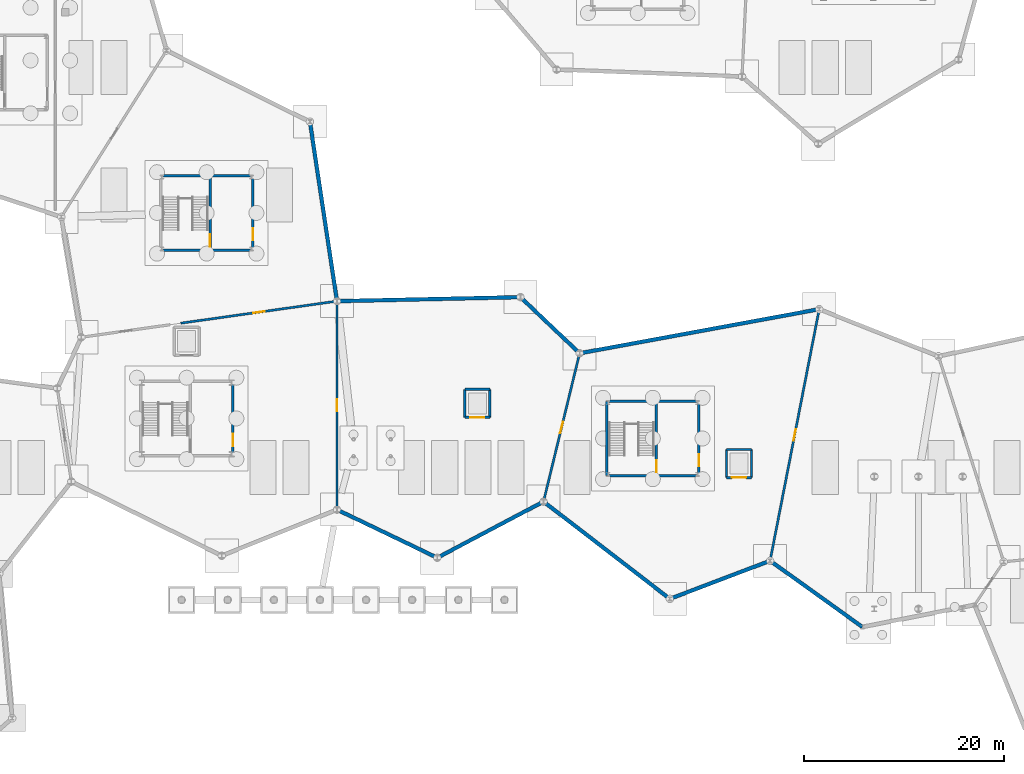
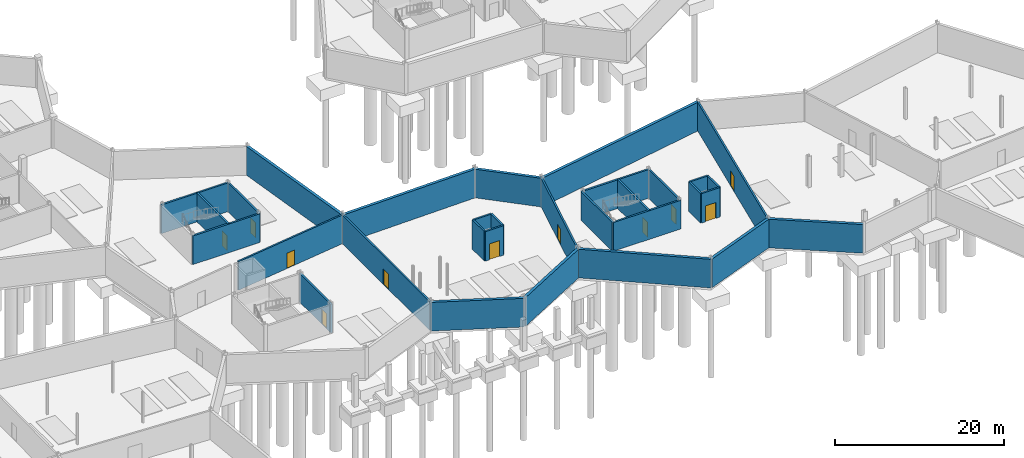
# One storey, part 27 of 37: 31 walls, 11 doors, 11 openings.
"""IFC4 building model written with IfcOpenShell, lengths in metres."""

import ifcopenshell
import ifcopenshell.guid

model = None  # the IFC model being written
_history = None  # IfcOwnerHistory: only IFC2X3 demands one
_inside = {}  # id of a spatial element -> (the spatial element, [elements in it])
_under = {}  # id of a project, library or spatial element -> (it, [spatial elements below it])
_declared = {}  # id of a project -> (the project, [libraries it declares])
_typed = {}  # id of a type object -> (the type object, [elements of that type])
_made_of = {}  # id of a material, layer set ... -> (it, [elements and type objects made of it])


def new_model(schema):
    """Start an empty IFC model of exactly this schema.

    Asked for "IFC4X3", IfcOpenShell would pick the latest addendum, in which some entities
    have other attributes; the version numbers below select the first issue.
    IFC2X3 requires an IfcOwnerHistory on every rooted entity: one is made here for all.
    """
    global model, _history
    if schema == "IFC4X3":
        model = ifcopenshell.file(schema_version=(4, 3, 0, 0))
    else:
        model = ifcopenshell.file(schema=schema)
    _inside.clear()
    _under.clear()
    _declared.clear()
    _typed.clear()
    _made_of.clear()
    _history = None
    if model.schema == "IFC2X3":
        org = make("IfcOrganization", Name="unknown")
        user = make(
            "IfcPersonAndOrganization",
            ThePerson=make("IfcPerson", FamilyName="unknown"),
            TheOrganization=org,
        )
        app = make(
            "IfcApplication",
            ApplicationDeveloper=org,
            Version="unknown",
            ApplicationFullName="unknown",
            ApplicationIdentifier="unknown",
        )
        _history = make(
            "IfcOwnerHistory",
            OwningUser=user,
            OwningApplication=app,
            ChangeAction="ADDED",
            CreationDate=0,
        )
    return model


def make(cls, **values):
    """One entity of the class cls with the attributes given. An attribute that is None is left unset."""
    return model.create_entity(
        cls, **{name: value for name, value in values.items() if value is not None}
    )


def rooted(cls, **values):
    """An entity with a GlobalId (a new one), such as an element, a storey or a relation."""
    return make(cls, GlobalId=ifcopenshell.guid.new(), OwnerHistory=_history, **values)


def si_unit(unit_type, name, prefix=None):
    """IfcSIUnit, for example si_unit("LENGTHUNIT", "METRE", prefix="MILLI")."""
    return make("IfcSIUnit", UnitType=unit_type, Prefix=prefix, Name=name)


def assignment(units):
    """IfcUnitAssignment: the units of a project."""
    return None if units is None else make("IfcUnitAssignment", Units=units)


def point(xyz):
    """IfcCartesianPoint."""
    return None if xyz is None else make("IfcCartesianPoint", Coordinates=xyz)


def direction(xyz):
    """IfcDirection."""
    return None if xyz is None else make("IfcDirection", DirectionRatios=xyz)


def frame(location, z_axis=None, x_axis=None):
    """IfcAxis2Placement3D, a coordinate frame: its origin and axes. An axis left out is left unset."""
    return make(
        "IfcAxis2Placement3D",
        Location=point(location),
        Axis=direction(z_axis),
        RefDirection=direction(x_axis),
    )


def frame_2d(location, x_axis=None):
    """IfcAxis2Placement2D, a coordinate frame in the plane: its origin and x axis."""
    return make(
        "IfcAxis2Placement2D", Location=point(location), RefDirection=direction(x_axis)
    )


def origin():
    """The frame at (0, 0, 0) with its axes left unset."""
    return frame((0.0, 0.0, 0.0))


def place(relative_to, where):
    """IfcLocalPlacement: puts the frame where relative to a parent placement (None: the world)."""
    return make(
        "IfcLocalPlacement", PlacementRelTo=relative_to, RelativePlacement=where
    )


def context(
    kind, dimensions, precision=None, world=None, true_north=None, identifier=None
):
    """IfcGeometricRepresentationContext, for example the 3D "Model" context."""
    return make(
        "IfcGeometricRepresentationContext",
        ContextIdentifier=identifier,
        ContextType=kind,
        CoordinateSpaceDimension=dimensions,
        Precision=precision,
        WorldCoordinateSystem=world,
        TrueNorth=true_north,
    )


def subcontext(parent, identifier, kind, view, scale=None):
    """IfcGeometricRepresentationSubContext, for example "Body" below "Model"."""
    return make(
        "IfcGeometricRepresentationSubContext",
        ContextIdentifier=identifier,
        ContextType=kind,
        ParentContext=parent,
        TargetScale=scale,
        TargetView=view,
    )


def project(units=None, contexts=None):
    """IfcProject with its units and contexts."""
    return rooted(
        "IfcProject",
        Name="project",
        RepresentationContexts=contexts,
        UnitsInContext=assignment(units),
    )


def spatial(cls, under=None, at=None, **own):
    """A site, building, storey or space (cls), placed at a placement, below another one or the project."""
    s = rooted(cls, ObjectPlacement=at, **own)
    if under is not None:
        _under.setdefault(under.id(), (under, []))[1].append(s)
    return s


def profile(cls, at=None, kind="AREA", **sizes):
    """A parametric profile (cls). Its sizes go by their IFC names, for example OverallWidth=200.0."""
    return make(cls, ProfileType=kind, Position=at, **sizes)


def rectangle(**sizes):
    """IfcRectangleProfileDef."""
    return profile("IfcRectangleProfileDef", **sizes)


def extrude(swept, where, along, depth):
    """IfcExtrudedAreaSolid: the profile swept, set in the frame where, extruded along a direction by depth."""
    return make(
        "IfcExtrudedAreaSolid",
        SweptArea=swept,
        Position=where,
        ExtrudedDirection=direction(along),
        Depth=depth,
    )


def shape(context_of_items, identifier, shape_type, items):
    """IfcShapeRepresentation: the items that make up one representation, for example the "Body"."""
    return make(
        "IfcShapeRepresentation",
        ContextOfItems=context_of_items,
        RepresentationIdentifier=identifier,
        RepresentationType=shape_type,
        Items=items,
    )


def material(Name=None, Category=None):
    """IfcMaterial."""
    return make("IfcMaterial", Name=Name, Category=Category)


def layer(
    of_material, thickness, ventilated=None, Name=None, Category=None, Priority=None
):
    """IfcMaterialLayer: one layer of a wall or slab, of a material (None: an air gap)."""
    return make(
        "IfcMaterialLayer",
        Material=of_material,
        LayerThickness=thickness,
        IsVentilated=ventilated,
        Name=Name,
        Category=Category,
        Priority=Priority,
    )


def layer_set(layers, Name=None):
    """IfcMaterialLayerSet."""
    return make("IfcMaterialLayerSet", MaterialLayers=layers, LayerSetName=Name)


def made_of(thing, what):
    """Note that an element or type object is made of a material, layer set ...; save() writes the relation."""
    if what is not None:
        _made_of.setdefault(what.id(), (what, []))[1].append(thing)
    return thing


def type_object(cls, material=None, **own):
    """A type object (cls), such as IfcWallType, which elements share."""
    return made_of(rooted(cls, **own), material)


def element(
    cls,
    number,
    at=None,
    inside=None,
    cuts=None,
    type_object=None,
    material=None,
    context=None,
    identifier="Body",
    shape_type=None,
    held_by="IfcProductDefinitionShape",
    body=None,
    shapes=None,
    **own,
):
    """One element of the class cls, such as IfcWall. Its Tag is "e" and its number.

    at: its placement. inside: the storey or other place that contains it. cuts: it is an
    opening in that element (IfcRelVoidsElement). A single representation is given by context,
    identifier, shape_type and body (its items); several are given by shapes. held_by: the class
    of the entity that holds the representations. save() writes the other relations.
    """
    e = rooted(cls, Tag="e%d" % number, ObjectPlacement=at, **own)
    if body is not None:
        shapes = [shape(context, identifier, shape_type, body)]
    if shapes is not None:
        e.Representation = make(held_by, Representations=shapes)
    if inside is not None:
        _inside.setdefault(inside.id(), (inside, []))[1].append(e)
    if cuts is not None:
        rooted(
            "IfcRelVoidsElement", RelatingBuildingElement=cuts, RelatedOpeningElement=e
        )
    if type_object is not None:
        _typed.setdefault(type_object.id(), (type_object, []))[1].append(e)
    return made_of(e, material)


def fill(opening, filler):
    """IfcRelFillsElement: the door or window that sits in an opening."""
    return rooted(
        "IfcRelFillsElement",
        RelatingOpeningElement=opening,
        RelatedBuildingElement=filler,
    )


def aggregate(whole, parts):
    """IfcRelAggregates: a whole, such as a stair, and the parts it consists of."""
    return rooted("IfcRelAggregates", RelatingObject=whole, RelatedObjects=parts)


def save(model, path):
    """Write the relations noted so far, then the file.

    IfcRelAggregates (storeys below a building ...), IfcRelContainedInSpatialStructure (elements
    in a storey), IfcRelDefinesByType, IfcRelAssociatesMaterial and IfcRelDeclares: one each for
    every whole, place, type object, material and project.
    """
    for whole, parts in _under.values():
        aggregate(whole, parts)
    for where, things in _inside.values():
        rooted(
            "IfcRelContainedInSpatialStructure",
            RelatedElements=things,
            RelatingStructure=where,
        )
    for kind, things in _typed.values():
        rooted("IfcRelDefinesByType", RelatedObjects=things, RelatingType=kind)
    for what, things in _made_of.values():
        rooted("IfcRelAssociatesMaterial", RelatedObjects=things, RelatingMaterial=what)
    for by, libraries in _declared.values():
        rooted("IfcRelDeclares", RelatingContext=by, RelatedDefinitions=libraries)
    model.write(path)


model = new_model("IFC4")

# Units and contexts
model_context = context("Model", 3, precision=1e-05, world=origin(), true_north=direction((0.0, 1.0)))
body_context = subcontext(model_context, "Body", "Model", "MODEL_VIEW")
ifc_project = project(units=[si_unit("LENGTHUNIT", "METRE"), si_unit("AREAUNIT", "SQUARE_METRE"), si_unit("VOLUMEUNIT", "CUBIC_METRE"), si_unit("PLANEANGLEUNIT", "RADIAN"), si_unit("MASSUNIT", "GRAM", prefix="KILO")], contexts=[model_context])

# Site, building, storey
site_placement = place(None, origin())
site = spatial("IfcSite", under=ifc_project, at=site_placement, CompositionType="ELEMENT")
building_placement = place(site_placement, origin())
building = spatial("IfcBuilding", under=site, at=building_placement, Name="Tameran Prism Museum", CompositionType="ELEMENT")
storey_placement = place(building_placement, frame((0.0, 0.0, -4.5)))
storey = spatial("IfcBuildingStorey", under=building, at=storey_placement, Name="B1", CompositionType="ELEMENT", Elevation=-4.5)

# Walls
ifc_material_1 = material(Name="Concrete N40 (40 MPa)", Category="concrete")
ifc_layer_1 = layer(ifc_material_1, 0.3798828125)
ifc_layer_set_1 = layer_set([ifc_layer_1])
wall_type_1 = type_object("IfcWallType", Name="EW-RET-380", PredefinedType="USERDEFINED", material=ifc_layer_set_1)
wall_1_placement = place(storey_placement, frame((77.544921875, 27.3779296875, 0.0), z_axis=(0.0, 0.0, 1.0), x_axis=(0.90154444727, -0.432686502675, 0.0)))
element("IfcWall", 1, at=wall_1_placement, inside=storey, type_object=wall_type_1, Name="Basement Retaining Wall RW-019", ObjectType="RETAININGWALL", PredefinedType="USERDEFINED", context=body_context, shape_type="SweptSolid", body=[
    extrude(rectangle(XDim=11.042236328125, YDim=0.3798828125, at=frame_2d((5.52099609375, 0.0))), origin(), (0.0, 0.0, 1.0), 4.139892578125),
])
wall_2_placement = place(storey_placement, frame((87.5, 22.60009765625, 0.0), z_axis=(0.0, 0.0, 1.0), x_axis=(0.884186531343, 0.467134004105, 0.0)))
element("IfcWall", 2, at=wall_2_placement, inside=storey, type_object=wall_type_1, Name="Basement Retaining Wall RW-020", ObjectType="RETAININGWALL", PredefinedType="USERDEFINED", context=body_context, shape_type="SweptSolid", body=[
    extrude(rectangle(XDim=11.9384765625, YDim=0.3798828125, at=frame_2d((5.96923828125, 0.0))), origin(), (0.0, 0.0, 1.0), 4.139892578125),
])
wall_3_placement = place(storey_placement, frame((101.6640625, 43.033935546875, 0.0), z_axis=(0.0, 0.0, 1.0), x_axis=(-0.725286613019, 0.688447041518, 0.0)))
element("IfcWall", 3, at=wall_3_placement, inside=storey, type_object=wall_type_1, Name="Basement Retaining Wall RW-021", ObjectType="RETAININGWALL", PredefinedType="USERDEFINED", context=body_context, shape_type="SweptSolid", body=[
    extrude(rectangle(XDim=8.085205078125, YDim=0.3798828125, at=frame_2d((4.04248046875, 0.0))), origin(), (0.0, 0.0, 1.0), 4.139892578125),
])
wall_4_placement = place(storey_placement, frame((95.800048828125, 48.60009765625, 0.0), z_axis=(0.0, 0.0, 1.0), x_axis=(-0.999760886501, -0.021867094518, 0.0)))
element("IfcWall", 4, at=wall_4_placement, inside=storey, type_object=wall_type_1, Name="Basement Retaining Wall RW-022", ObjectType="RETAININGWALL", PredefinedType="USERDEFINED", context=body_context, shape_type="SweptSolid", body=[
    extrude(rectangle(XDim=18.25439453125, YDim=0.3798828125, at=frame_2d((9.127197265625, 0.0))), origin(), (0.0, 0.0, 1.0), 4.139892578125),
])
wall_5_placement = place(storey_placement, frame((77.492919921875, 48.2490234375, 0.0), z_axis=(0.0, 0.0, 1.0), x_axis=(-0.149164377012, 0.988812413267, 0.0)))
element("IfcWall", 5, at=wall_5_placement, inside=storey, type_object=wall_type_1, Name="Basement Retaining Wall RW-024", ObjectType="RETAININGWALL", PredefinedType="USERDEFINED", context=body_context, shape_type="SweptSolid", body=[
    extrude(rectangle(XDim=18.052978515625, YDim=0.3798828125, at=frame_2d((9.0263671875, 0.0))), origin(), (0.0, 0.0, 1.0), 4.139892578125),
])
wall_6_placement = place(storey_placement, frame((98.139892578125, 28.169921875, 0.0), z_axis=(0.0, 0.0, 1.0), x_axis=(0.792369701833, -0.610041191739, 0.0)))
element("IfcWall", 6, at=wall_6_placement, inside=storey, type_object=wall_type_1, Name="Basement Retaining Wall RW-026", ObjectType="RETAININGWALL", PredefinedType="USERDEFINED", context=body_context, shape_type="SweptSolid", body=[
    extrude(rectangle(XDim=15.851318359375, YDim=0.3798828125, at=frame_2d((7.92578125, 0.0))), origin(), (0.0, 0.0, 1.0), 4.139892578125),
])
wall_7_placement = place(storey_placement, frame((110.699951171875, 18.5, 0.0), z_axis=(0.0, 0.0, 1.0), x_axis=(0.934789976013, 0.355200930102, 0.0)))
element("IfcWall", 7, at=wall_7_placement, inside=storey, type_object=wall_type_1, Name="Basement Retaining Wall RW-027", ObjectType="RETAININGWALL", PredefinedType="USERDEFINED", context=body_context, shape_type="SweptSolid", body=[
    extrude(rectangle(XDim=10.6474609375, YDim=0.3798828125, at=frame_2d((5.32373046875, 0.0))), origin(), (0.0, 0.0, 1.0), 4.139892578125),
])
wall_8_placement = place(storey_placement, frame((125.547119140625, 47.389892578125, 0.0), z_axis=(0.0, 0.0, 1.0), x_axis=(-0.98347527233, -0.181042505275, 0.0)))
element("IfcWall", 8, at=wall_8_placement, inside=storey, type_object=wall_type_1, Name="Basement Retaining Wall RW-028", ObjectType="RETAININGWALL", PredefinedType="USERDEFINED", context=body_context, shape_type="SweptSolid", body=[
    extrude(rectangle(XDim=24.197998046875, YDim=0.3798828125, at=frame_2d((12.09912109375, 0.0))), origin(), (0.0, 0.0, 1.0), 4.139892578125),
])
wall_9_placement = place(storey_placement, frame((120.740966796875, 22.27099609375, 0.0), z_axis=(0.0, 0.0, 1.0), x_axis=(0.812517064674, -0.582937406256, 0.0)))
element("IfcWall", 9, at=wall_9_placement, inside=storey, type_object=wall_type_1, Name="Basement Retaining Wall RW-030", ObjectType="RETAININGWALL", PredefinedType="USERDEFINED", context=body_context, shape_type="SweptSolid", body=[
    extrude(rectangle(XDim=11.272216796875, YDim=0.3798828125, at=frame_2d((5.63623046875, 0.0))), origin(), (0.0, 0.0, 1.0), 4.139892578125),
])

# Wall, opening, door
ifc_material_2 = material(Name="Concrete N40 (40 MPa)", Category="concrete")
ifc_layer_2 = layer(ifc_material_2, 0.22509765625)
ifc_layer_set_2 = layer_set([ifc_layer_2])
wall_type_2 = type_object("IfcWallType", Name="IW-CMP-225", PredefinedType="SOLIDWALL", material=ifc_layer_set_2)
wall_10_placement = place(storey_placement, frame((77.5, 27.39990234375, 0.0), z_axis=(0.0, 0.0, 1.0), x_axis=(0.0, 1.0, 0.0)))
wall_10 = element("IfcWall", 10, at=wall_10_placement, inside=storey, type_object=wall_type_2, Name="Compartment Wall IW-0006", PredefinedType="SOLIDWALL", context=body_context, shape_type="SweptSolid", body=[
    extrude(rectangle(XDim=20.800048828125, YDim=0.22509765625, at=frame_2d((10.39990234375, 0.0))), origin(), (0.0, 0.0, 1.0), 4.139892578125),
])
opening_1_placement = place(wall_10_placement, frame((9.800048828125, 0.0, 0.0)))
opening_1 = element("IfcOpeningElement", 11, at=opening_1_placement, cuts=wall_10, Name="Opening ID-0006", PredefinedType="OPENING", context=body_context, shape_type="SweptSolid", body=[
    extrude(rectangle(XDim=1.199951171875, YDim=2.199951171875, at=frame_2d((0.60009765625, 1.10009765625))), frame((0.0, 0.12255859375, 0.0), z_axis=(0.0, -1.0, 0.0), x_axis=(1.0, 0.0, 0.0)), (0.0, 0.0, 1.0), 0.2451171875),
])
ifc_material_3 = material(Name="Fire-Rated Steel Door Leaf and Frame", Category="steel")
door_type_1 = type_object("IfcDoorType", Name="DR-FD-120A", OperationType="NOTDEFINED", PredefinedType="DOOR", material=ifc_material_3)
door_1_placement = place(opening_1_placement, origin())
door_1 = element("IfcDoor", 12, at=door_1_placement, inside=storey, type_object=door_type_1, Name="Compartment Door ID-0006", OperationType="SINGLE_SWING_LEFT", OverallHeight=2.199951171875, OverallWidth=1.199951171875, PredefinedType="DOOR", context=body_context, shape_type="SweptSolid", body=[
    extrude(rectangle(XDim=1.199951171875, YDim=2.199951171875, at=frame_2d((0.60009765625, 1.10009765625))), frame((0.0, 0.02490234375, 0.0), z_axis=(0.0, -1.0, 0.0), x_axis=(1.0, 0.0, 0.0)), (0.0, 0.0, 1.0), 0.050048828125),
])
fill(opening_1, door_1)

wall_11_placement = place(storey_placement, frame((77.5, 48.199951171875, 0.0), z_axis=(0.0, 0.0, 1.0), x_axis=(-0.990181159322, -0.139790098807, 0.0)))
wall_11 = element("IfcWall", 13, at=wall_11_placement, inside=storey, type_object=wall_type_2, Name="Compartment Wall IW-0007", PredefinedType="SOLIDWALL", context=body_context, shape_type="SweptSolid", body=[
    extrude(rectangle(XDim=15.737548828125, YDim=0.22509765625, at=frame_2d((7.86865234375, 0.0))), origin(), (0.0, 0.0, 1.0), 4.139892578125),
])
opening_2_placement = place(wall_11_placement, frame((7.2939453125, 0.0, 0.0)))
opening_2 = element("IfcOpeningElement", 14, at=opening_2_placement, cuts=wall_11, Name="Opening ID-0007", PredefinedType="OPENING", context=body_context, shape_type="SweptSolid", body=[
    extrude(rectangle(XDim=1.14990234375, YDim=2.199951171875, at=frame_2d((0.574951171875, 1.10009765625))), frame((0.0, 0.12255859375, 0.0), z_axis=(0.0, -1.0, 0.0), x_axis=(1.0, 0.0, 0.0)), (0.0, 0.0, 1.0), 0.2451171875),
])
ifc_material_4 = material(Name="Fire-Rated Steel Door Leaf and Frame", Category="steel")
door_type_2 = type_object("IfcDoorType", Name="DR-FD-120B", OperationType="NOTDEFINED", PredefinedType="DOOR", material=ifc_material_4)
door_2_placement = place(opening_2_placement, origin())
door_2 = element("IfcDoor", 15, at=door_2_placement, inside=storey, type_object=door_type_2, Name="Compartment Door ID-0007", OperationType="SINGLE_SWING_RIGHT", OverallHeight=2.199951171875, OverallWidth=1.14990234375, PredefinedType="DOOR", context=body_context, shape_type="SweptSolid", body=[
    extrude(rectangle(XDim=1.14990234375, YDim=2.199951171875, at=frame_2d((0.574951171875, 1.10009765625))), frame((0.0, 0.02490234375, 0.0), z_axis=(0.0, -1.0, 0.0), x_axis=(1.0, 0.0, 0.0)), (0.0, 0.0, 1.0), 0.050048828125),
])
fill(opening_2, door_2)

wall_12_placement = place(storey_placement, frame((98.10009765625, 28.199951171875, 0.0), z_axis=(0.0, 0.0, 1.0), x_axis=(0.236341762997, 0.971669990822, 0.0)))
wall_12 = element("IfcWall", 16, at=wall_12_placement, inside=storey, type_object=wall_type_2, Name="Compartment Wall IW-0010", PredefinedType="SOLIDWALL", context=body_context, shape_type="SweptSolid", body=[
    extrude(rectangle(XDim=15.2314453125, YDim=0.22509765625, at=frame_2d((7.61572265625, 0.0))), origin(), (0.0, 0.0, 1.0), 4.139892578125),
])
opening_3_placement = place(wall_12_placement, frame((7.01611328125, 0.0, 0.0)))
opening_3 = element("IfcOpeningElement", 17, at=opening_3_placement, cuts=wall_12, Name="Opening ID-0010", PredefinedType="OPENING", context=body_context, shape_type="SweptSolid", body=[
    extrude(rectangle(XDim=1.199951171875, YDim=2.199951171875, at=frame_2d((0.60009765625, 1.10009765625))), frame((0.0, 0.12255859375, 0.0), z_axis=(0.0, -1.0, 0.0), x_axis=(1.0, 0.0, 0.0)), (0.0, 0.0, 1.0), 0.2451171875),
])
door_3_placement = place(opening_3_placement, origin())
door_3 = element("IfcDoor", 18, at=door_3_placement, inside=storey, type_object=door_type_1, Name="Compartment Door ID-0010", OperationType="SINGLE_SWING_LEFT", OverallHeight=2.199951171875, OverallWidth=1.199951171875, PredefinedType="DOOR", context=body_context, shape_type="SweptSolid", body=[
    extrude(rectangle(XDim=1.199951171875, YDim=2.199951171875, at=frame_2d((0.60009765625, 1.10009765625))), frame((0.0, 0.02490234375, 0.0), z_axis=(0.0, -1.0, 0.0), x_axis=(1.0, 0.0, 0.0)), (0.0, 0.0, 1.0), 0.050048828125),
])
fill(opening_3, door_3)

wall_13_placement = place(storey_placement, frame((120.699951171875, 22.300048828125, 0.0), z_axis=(0.0, 0.0, 1.0), x_axis=(0.191608827438, 0.981471373626, 0.0)))
wall_13 = element("IfcWall", 19, at=wall_13_placement, inside=storey, type_object=wall_type_2, Name="Compartment Wall IW-0012", PredefinedType="SOLIDWALL", context=body_context, shape_type="SweptSolid", body=[
    extrude(rectangle(XDim=25.57373046875, YDim=0.22509765625, at=frame_2d((12.786865234375, 0.0))), origin(), (0.0, 0.0, 1.0), 4.139892578125),
])
opening_4_placement = place(wall_13_placement, frame((12.18701171875, 0.0, 0.0)))
opening_4 = element("IfcOpeningElement", 20, at=opening_4_placement, cuts=wall_13, Name="Opening ID-0012", PredefinedType="OPENING", context=body_context, shape_type="SweptSolid", body=[
    extrude(rectangle(XDim=1.199951171875, YDim=2.199951171875, at=frame_2d((0.60009765625, 1.10009765625))), frame((0.0, 0.12255859375, 0.0), z_axis=(0.0, -1.0, 0.0), x_axis=(1.0, 0.0, 0.0)), (0.0, 0.0, 1.0), 0.2451171875),
])
door_4_placement = place(opening_4_placement, origin())
door_4 = element("IfcDoor", 21, at=door_4_placement, inside=storey, type_object=door_type_1, Name="Compartment Door ID-0012", OperationType="SINGLE_SWING_LEFT", OverallHeight=2.199951171875, OverallWidth=1.199951171875, PredefinedType="DOOR", context=body_context, shape_type="SweptSolid", body=[
    extrude(rectangle(XDim=1.199951171875, YDim=2.199951171875, at=frame_2d((0.60009765625, 1.10009765625))), frame((0.0, 0.02490234375, 0.0), z_axis=(0.0, -1.0, 0.0), x_axis=(1.0, 0.0, 0.0)), (0.0, 0.0, 1.0), 0.050048828125),
])
fill(opening_4, door_4)

ifc_material_5 = material(Name="Concrete N40 (40 MPa)", Category="concrete")
ifc_layer_3 = layer(ifc_material_5, 0.25)
ifc_layer_set_3 = layer_set([ifc_layer_3])
wall_type_3 = type_object("IfcWallType", Name="IW-COR-250", PredefinedType="SHEAR", material=ifc_layer_set_3)
wall_14_placement = place(storey_placement, frame((67.10009765625, 40.199951171875, 0.0), z_axis=(0.0, 0.0, 1.0), x_axis=(0.0, -1.0, 0.0)))
wall_14 = element("IfcWall", 22, at=wall_14_placement, inside=storey, type_object=wall_type_3, Name="Core Shear Wall CW-3-B1-E", PredefinedType="SHEAR", context=body_context, shape_type="SweptSolid", body=[
    extrude(rectangle(XDim=7.39990234375, YDim=0.25, at=frame_2d((3.699951171875, 0.0))), origin(), (0.0, 0.0, 1.0), 4.139892578125),
])
opening_5_placement = place(wall_14_placement, frame((5.25, 0.0, 0.0)))
opening_5 = element("IfcOpeningElement", 23, at=opening_5_placement, cuts=wall_14, Name="Opening FD-0211", PredefinedType="OPENING", context=body_context, shape_type="SweptSolid", body=[
    extrude(rectangle(XDim=1.199951171875, YDim=2.199951171875, at=frame_2d((0.60009765625, 1.10009765625))), frame((0.0, 0.135009765625, 0.0), z_axis=(0.0, -1.0, 0.0), x_axis=(1.0, 0.0, 0.0)), (0.0, 0.0, 1.0), 0.27001953125),
])
door_5_placement = place(opening_5_placement, origin())
door_5 = element("IfcDoor", 24, at=door_5_placement, inside=storey, type_object=door_type_1, Name="Core Fire Door FD-0211", OperationType="SINGLE_SWING_LEFT", OverallHeight=2.199951171875, OverallWidth=1.199951171875, PredefinedType="DOOR", context=body_context, shape_type="SweptSolid", body=[
    extrude(rectangle(XDim=1.199951171875, YDim=2.199951171875, at=frame_2d((0.60009765625, 1.10009765625))), frame((0.0, 0.02490234375, 0.0), z_axis=(0.0, -1.0, 0.0), x_axis=(1.0, 0.0, 0.0)), (0.0, 0.0, 1.0), 0.050048828125),
])
fill(opening_5, door_5)

# Walls
for number, where, z_axis, x_axis, name in (
    (25, (59.89990234375, 60.699951171875, 0.0), (0.0, 0.0, 1.0), (1.0, 0.0, 0.0), "Core Shear Wall CW-8-B1-N"),
    (26, (69.10009765625, 53.300048828125, 0.0), (0.0, 0.0, 1.0), (-1.0, 0.0, 0.0), "Core Shear Wall CW-8-B1-S"),
):
    element("IfcWall", number, at=place(storey_placement, frame(where, z_axis=z_axis, x_axis=x_axis)), inside=storey, type_object=wall_type_3, Name=name, PredefinedType="SHEAR", context=body_context, shape_type="SweptSolid", body=[
        extrude(rectangle(XDim=9.2001953125, YDim=0.25, at=frame_2d((4.60009765625, 0.0))), origin(), (0.0, 0.0, 1.0), 4.139892578125),
    ])

# Wall, opening, door
wall_15_placement = place(storey_placement, frame((69.10009765625, 60.699951171875, 0.0), z_axis=(0.0, 0.0, 1.0), x_axis=(0.0, -1.0, 0.0)))
wall_15 = element("IfcWall", 27, at=wall_15_placement, inside=storey, type_object=wall_type_3, Name="Core Shear Wall CW-8-B1-E", PredefinedType="SHEAR", context=body_context, shape_type="SweptSolid", body=[
    extrude(rectangle(XDim=7.39990234375, YDim=0.25, at=frame_2d((3.699951171875, 0.0))), origin(), (0.0, 0.0, 1.0), 4.139892578125),
])
opening_6_placement = place(wall_15_placement, frame((5.25, 0.0, 0.0)))
opening_6 = element("IfcOpeningElement", 28, at=opening_6_placement, cuts=wall_15, Name="Opening FD-0223", PredefinedType="OPENING", context=body_context, shape_type="SweptSolid", body=[
    extrude(rectangle(XDim=1.199951171875, YDim=2.199951171875, at=frame_2d((0.60009765625, 1.10009765625))), frame((0.0, 0.135009765625, 0.0), z_axis=(0.0, -1.0, 0.0), x_axis=(1.0, 0.0, 0.0)), (0.0, 0.0, 1.0), 0.27001953125),
])
door_6_placement = place(opening_6_placement, origin())
door_6 = element("IfcDoor", 29, at=door_6_placement, inside=storey, type_object=door_type_1, Name="Core Fire Door FD-0223", OperationType="SINGLE_SWING_LEFT", OverallHeight=2.199951171875, OverallWidth=1.199951171875, PredefinedType="DOOR", context=body_context, shape_type="SweptSolid", body=[
    extrude(rectangle(XDim=1.199951171875, YDim=2.199951171875, at=frame_2d((0.60009765625, 1.10009765625))), frame((0.0, 0.02490234375, 0.0), z_axis=(0.0, -1.0, 0.0), x_axis=(1.0, 0.0, 0.0)), (0.0, 0.0, 1.0), 0.050048828125),
])
fill(opening_6, door_6)

wall_16_placement = place(storey_placement, frame((64.85009765625, 60.699951171875, 0.0), z_axis=(0.0, 0.0, 1.0), x_axis=(0.0, -1.0, 0.0)))
wall_16 = element("IfcWall", 30, at=wall_16_placement, inside=storey, type_object=wall_type_3, Name="Core Shear Wall CW-8-B1-M", PredefinedType="SHEAR", context=body_context, shape_type="SweptSolid", body=[
    extrude(rectangle(XDim=7.39990234375, YDim=0.25, at=frame_2d((3.699951171875, 0.0))), origin(), (0.0, 0.0, 1.0), 4.139892578125),
])
opening_7_placement = place(wall_16_placement, frame((5.85009765625, 0.0, 0.0)))
opening_7 = element("IfcOpeningElement", 31, at=opening_7_placement, cuts=wall_16, Name="Opening FD-0224", PredefinedType="OPENING", context=body_context, shape_type="SweptSolid", body=[
    extrude(rectangle(XDim=1.199951171875, YDim=2.199951171875, at=frame_2d((0.60009765625, 1.10009765625))), frame((0.0, 0.135009765625, 0.0), z_axis=(0.0, -1.0, 0.0), x_axis=(1.0, 0.0, 0.0)), (0.0, 0.0, 1.0), 0.27001953125),
])
door_7_placement = place(opening_7_placement, origin())
door_7 = element("IfcDoor", 32, at=door_7_placement, inside=storey, type_object=door_type_1, Name="Core Fire Door FD-0224", OperationType="SINGLE_SWING_RIGHT", OverallHeight=2.199951171875, OverallWidth=1.199951171875, PredefinedType="DOOR", context=body_context, shape_type="SweptSolid", body=[
    extrude(rectangle(XDim=1.199951171875, YDim=2.199951171875, at=frame_2d((0.60009765625, 1.10009765625))), frame((0.0, 0.02490234375, 0.0), z_axis=(0.0, -1.0, 0.0), x_axis=(1.0, 0.0, 0.0)), (0.0, 0.0, 1.0), 0.050048828125),
])
fill(opening_7, door_7)

# Walls
wall_17_placement = place(storey_placement, frame((104.39990234375, 30.800048828125, 0.0), z_axis=(0.0, 0.0, 1.0), x_axis=(0.0, 1.0, 0.0)))
element("IfcWall", 33, at=wall_17_placement, inside=storey, type_object=wall_type_3, Name="Core Shear Wall CW-4-B1-W", PredefinedType="SHEAR", context=body_context, shape_type="SweptSolid", body=[
    extrude(rectangle(XDim=7.39990234375, YDim=0.25, at=frame_2d((3.699951171875, 0.0))), origin(), (0.0, 0.0, 1.0), 4.139892578125),
])
for number, where, z_axis, x_axis, name in (
    (34, (104.39990234375, 38.199951171875, 0.0), (0.0, 0.0, 1.0), (1.0, 0.0, 0.0), "Core Shear Wall CW-4-B1-N"),
    (35, (113.60009765625, 30.800048828125, 0.0), (0.0, 0.0, 1.0), (-1.0, 0.0, 0.0), "Core Shear Wall CW-4-B1-S"),
):
    element("IfcWall", number, at=place(storey_placement, frame(where, z_axis=z_axis, x_axis=x_axis)), inside=storey, type_object=wall_type_3, Name=name, PredefinedType="SHEAR", context=body_context, shape_type="SweptSolid", body=[
        extrude(rectangle(XDim=9.2001953125, YDim=0.25, at=frame_2d((4.60009765625, 0.0))), origin(), (0.0, 0.0, 1.0), 4.139892578125),
    ])

# Wall, opening, door
wall_18_placement = place(storey_placement, frame((113.60009765625, 38.199951171875, 0.0), z_axis=(0.0, 0.0, 1.0), x_axis=(0.0, -1.0, 0.0)))
wall_18 = element("IfcWall", 36, at=wall_18_placement, inside=storey, type_object=wall_type_3, Name="Core Shear Wall CW-4-B1-E", PredefinedType="SHEAR", context=body_context, shape_type="SweptSolid", body=[
    extrude(rectangle(XDim=7.39990234375, YDim=0.25, at=frame_2d((3.699951171875, 0.0))), origin(), (0.0, 0.0, 1.0), 4.139892578125),
])
opening_8_placement = place(wall_18_placement, frame((5.25, 0.0, 0.0)))
opening_8 = element("IfcOpeningElement", 37, at=opening_8_placement, cuts=wall_18, Name="Opening FD-0233", PredefinedType="OPENING", context=body_context, shape_type="SweptSolid", body=[
    extrude(rectangle(XDim=1.199951171875, YDim=2.199951171875, at=frame_2d((0.60009765625, 1.10009765625))), frame((0.0, 0.135009765625, 0.0), z_axis=(0.0, -1.0, 0.0), x_axis=(1.0, 0.0, 0.0)), (0.0, 0.0, 1.0), 0.27001953125),
])
door_8_placement = place(opening_8_placement, origin())
door_8 = element("IfcDoor", 38, at=door_8_placement, inside=storey, type_object=door_type_1, Name="Core Fire Door FD-0233", OperationType="SINGLE_SWING_LEFT", OverallHeight=2.199951171875, OverallWidth=1.199951171875, PredefinedType="DOOR", context=body_context, shape_type="SweptSolid", body=[
    extrude(rectangle(XDim=1.199951171875, YDim=2.199951171875, at=frame_2d((0.60009765625, 1.10009765625))), frame((0.0, 0.02490234375, 0.0), z_axis=(0.0, -1.0, 0.0), x_axis=(1.0, 0.0, 0.0)), (0.0, 0.0, 1.0), 0.050048828125),
])
fill(opening_8, door_8)

wall_19_placement = place(storey_placement, frame((109.35009765625, 38.199951171875, 0.0), z_axis=(0.0, 0.0, 1.0), x_axis=(0.0, -1.0, 0.0)))
wall_19 = element("IfcWall", 39, at=wall_19_placement, inside=storey, type_object=wall_type_3, Name="Core Shear Wall CW-4-B1-M", PredefinedType="SHEAR", context=body_context, shape_type="SweptSolid", body=[
    extrude(rectangle(XDim=7.39990234375, YDim=0.25, at=frame_2d((3.699951171875, 0.0))), origin(), (0.0, 0.0, 1.0), 4.139892578125),
])
opening_9_placement = place(wall_19_placement, frame((5.85009765625, 0.0, 0.0)))
opening_9 = element("IfcOpeningElement", 40, at=opening_9_placement, cuts=wall_19, Name="Opening FD-0234", PredefinedType="OPENING", context=body_context, shape_type="SweptSolid", body=[
    extrude(rectangle(XDim=1.199951171875, YDim=2.199951171875, at=frame_2d((0.60009765625, 1.10009765625))), frame((0.0, 0.135009765625, 0.0), z_axis=(0.0, -1.0, 0.0), x_axis=(1.0, 0.0, 0.0)), (0.0, 0.0, 1.0), 0.27001953125),
])
door_9_placement = place(opening_9_placement, origin())
door_9 = element("IfcDoor", 41, at=door_9_placement, inside=storey, type_object=door_type_1, Name="Core Fire Door FD-0234", OperationType="SINGLE_SWING_RIGHT", OverallHeight=2.199951171875, OverallWidth=1.199951171875, PredefinedType="DOOR", context=body_context, shape_type="SweptSolid", body=[
    extrude(rectangle(XDim=1.199951171875, YDim=2.199951171875, at=frame_2d((0.60009765625, 1.10009765625))), frame((0.0, 0.02490234375, 0.0), z_axis=(0.0, -1.0, 0.0), x_axis=(1.0, 0.0, 0.0)), (0.0, 0.0, 1.0), 0.050048828125),
])
fill(opening_9, door_9)

# Walls
ifc_material_6 = material(Name="Concrete N40 (40 MPa)", Category="concrete")
ifc_layer_4 = layer(ifc_material_6, 0.239990234375)
ifc_layer_set_4 = layer_set([ifc_layer_4])
wall_type_4 = type_object("IfcWallType", Name="IW-LFT-240", PredefinedType="SHEAR", material=ifc_layer_set_4)
wall_20_placement = place(storey_placement, frame((90.25, 39.39990234375, 0.0), z_axis=(0.0, 0.0, 1.0), x_axis=(1.0, 0.0, 0.0)))
element("IfcWall", 42, at=wall_20_placement, inside=storey, type_object=wall_type_4, Name="Lift Shaft Wall LW-PL02-B1N", PredefinedType="SHEAR", context=body_context, shape_type="SweptSolid", body=[
    extrude(rectangle(XDim=2.5, YDim=0.239990234375, at=frame_2d((1.25, 0.0))), origin(), (0.0, 0.0, 1.0), 4.260009765625),
])
for number, where, z_axis, x_axis, name in (
    (43, (92.75, 39.39990234375, 0.0), (0.0, 0.0, 1.0), (0.0, -1.0, 0.0), "Lift Shaft Wall LW-PL02-B1E"),
    (44, (90.25, 36.60009765625, 0.0), (0.0, 0.0, 1.0), (0.0, 1.0, 0.0), "Lift Shaft Wall LW-PL02-B1W"),
):
    element("IfcWall", number, at=place(storey_placement, frame(where, z_axis=z_axis, x_axis=x_axis)), inside=storey, type_object=wall_type_4, Name=name, PredefinedType="SHEAR", context=body_context, shape_type="SweptSolid", body=[
        extrude(rectangle(XDim=2.7998046875, YDim=0.239990234375, at=frame_2d((1.39990234375, 0.0))), origin(), (0.0, 0.0, 1.0), 4.260009765625),
    ])

# Wall, opening, door
wall_21_placement = place(storey_placement, frame((92.75, 36.60009765625, 0.0), z_axis=(0.0, 0.0, 1.0), x_axis=(-1.0, 0.0, 0.0)))
wall_21 = element("IfcWall", 45, at=wall_21_placement, inside=storey, type_object=wall_type_4, Name="Lift Shaft Wall LW-PL02-B1S", PredefinedType="SHEAR", context=body_context, shape_type="SweptSolid", body=[
    extrude(rectangle(XDim=2.5, YDim=0.239990234375, at=frame_2d((1.25, 0.0))), origin(), (0.0, 0.0, 1.0), 4.260009765625),
])
opening_10_placement = place(wall_21_placement, frame((0.550048828125, 0.0, 0.0)))
opening_10 = element("IfcOpeningElement", 46, at=opening_10_placement, cuts=wall_21, Name="Opening LD-PL02-B1", PredefinedType="OPENING", context=body_context, shape_type="SweptSolid", body=[
    extrude(rectangle(XDim=1.39990234375, YDim=2.300048828125, at=frame_2d((0.699951171875, 1.14990234375))), frame((0.0, 0.1298828125, 0.0), z_axis=(0.0, -1.0, 0.0), x_axis=(1.0, 0.0, 0.0)), (0.0, 0.0, 1.0), 0.260009765625),
])
ifc_material_7 = material(Name="Fire-Rated Steel Door Leaf and Frame", Category="steel")
door_type_3 = type_object("IfcDoorType", Name="DR-LD-PL2", OperationType="SLIDING_TO_LEFT", PredefinedType="DOOR", material=ifc_material_7)
door_10_placement = place(opening_10_placement, origin())
door_10 = element("IfcDoor", 47, at=door_10_placement, inside=storey, type_object=door_type_3, Name="Passenger Lift PL-02 Landing Door B1", OperationType="SLIDING_TO_LEFT", OverallHeight=2.300048828125, OverallWidth=1.39990234375, PredefinedType="DOOR", context=body_context, shape_type="SweptSolid", body=[
    extrude(rectangle(XDim=1.39990234375, YDim=2.300048828125, at=frame_2d((0.699951171875, 1.14990234375))), frame((0.0, 0.02490234375, 0.0), z_axis=(0.0, -1.0, 0.0), x_axis=(1.0, 0.0, 0.0)), (0.0, 0.0, 1.0), 0.050048828125),
])
fill(opening_10, door_10)

# Walls
wall_22_placement = place(storey_placement, frame((116.35009765625, 33.39990234375, 0.0), z_axis=(0.0, 0.0, 1.0), x_axis=(1.0, 0.0, 0.0)))
element("IfcWall", 48, at=wall_22_placement, inside=storey, type_object=wall_type_4, Name="Lift Shaft Wall LW-PL03-B1N", PredefinedType="SHEAR", context=body_context, shape_type="SweptSolid", body=[
    extrude(rectangle(XDim=2.5, YDim=0.239990234375, at=frame_2d((1.25, 0.0))), origin(), (0.0, 0.0, 1.0), 4.260009765625),
])
for number, where, z_axis, x_axis, name in (
    (49, (118.85009765625, 33.39990234375, 0.0), (0.0, 0.0, 1.0), (0.0, -1.0, 0.0), "Lift Shaft Wall LW-PL03-B1E"),
    (50, (116.35009765625, 30.60009765625, 0.0), (0.0, 0.0, 1.0), (0.0, 1.0, 0.0), "Lift Shaft Wall LW-PL03-B1W"),
):
    element("IfcWall", number, at=place(storey_placement, frame(where, z_axis=z_axis, x_axis=x_axis)), inside=storey, type_object=wall_type_4, Name=name, PredefinedType="SHEAR", context=body_context, shape_type="SweptSolid", body=[
        extrude(rectangle(XDim=2.7998046875, YDim=0.239990234375, at=frame_2d((1.39990234375, 0.0))), origin(), (0.0, 0.0, 1.0), 4.260009765625),
    ])

# Wall, opening, door
wall_23_placement = place(storey_placement, frame((118.85009765625, 30.60009765625, 0.0), z_axis=(0.0, 0.0, 1.0), x_axis=(-1.0, 0.0, 0.0)))
wall_23 = element("IfcWall", 51, at=wall_23_placement, inside=storey, type_object=wall_type_4, Name="Lift Shaft Wall LW-PL03-B1S", PredefinedType="SHEAR", context=body_context, shape_type="SweptSolid", body=[
    extrude(rectangle(XDim=2.5, YDim=0.239990234375, at=frame_2d((1.25, 0.0))), origin(), (0.0, 0.0, 1.0), 4.260009765625),
])
opening_11_placement = place(wall_23_placement, frame((0.550048828125, 0.0, 0.0)))
opening_11 = element("IfcOpeningElement", 52, at=opening_11_placement, cuts=wall_23, Name="Opening LD-PL03-B1", PredefinedType="OPENING", context=body_context, shape_type="SweptSolid", body=[
    extrude(rectangle(XDim=1.39990234375, YDim=2.300048828125, at=frame_2d((0.699951171875, 1.14990234375))), frame((0.0, 0.1298828125, 0.0), z_axis=(0.0, -1.0, 0.0), x_axis=(1.0, 0.0, 0.0)), (0.0, 0.0, 1.0), 0.260009765625),
])
door_11_placement = place(opening_11_placement, origin())
door_11 = element("IfcDoor", 53, at=door_11_placement, inside=storey, type_object=door_type_3, Name="Passenger Lift PL-03 Landing Door B1", OperationType="SLIDING_TO_LEFT", OverallHeight=2.300048828125, OverallWidth=1.39990234375, PredefinedType="DOOR", context=body_context, shape_type="SweptSolid", body=[
    extrude(rectangle(XDim=1.39990234375, YDim=2.300048828125, at=frame_2d((0.699951171875, 1.14990234375))), frame((0.0, 0.02490234375, 0.0), z_axis=(0.0, -1.0, 0.0), x_axis=(1.0, 0.0, 0.0)), (0.0, 0.0, 1.0), 0.050048828125),
])
fill(opening_11, door_11)

save(model, "model.ifc")
